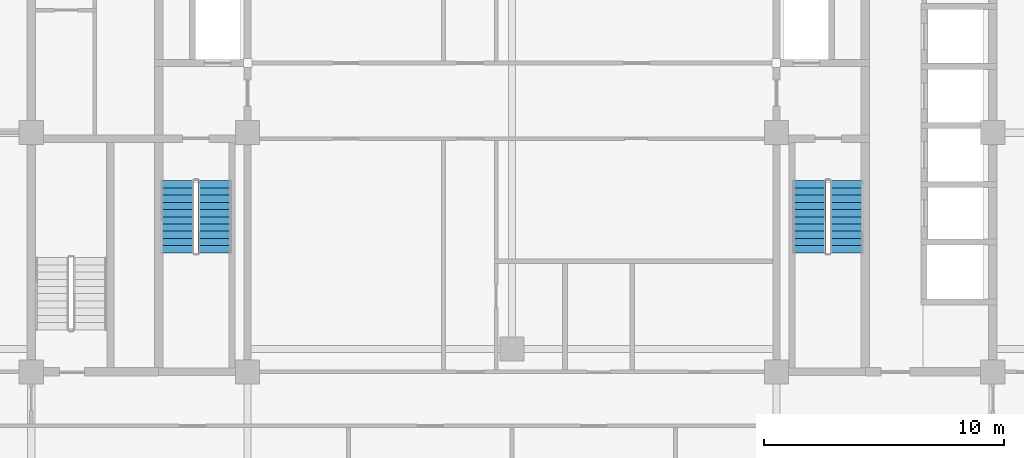
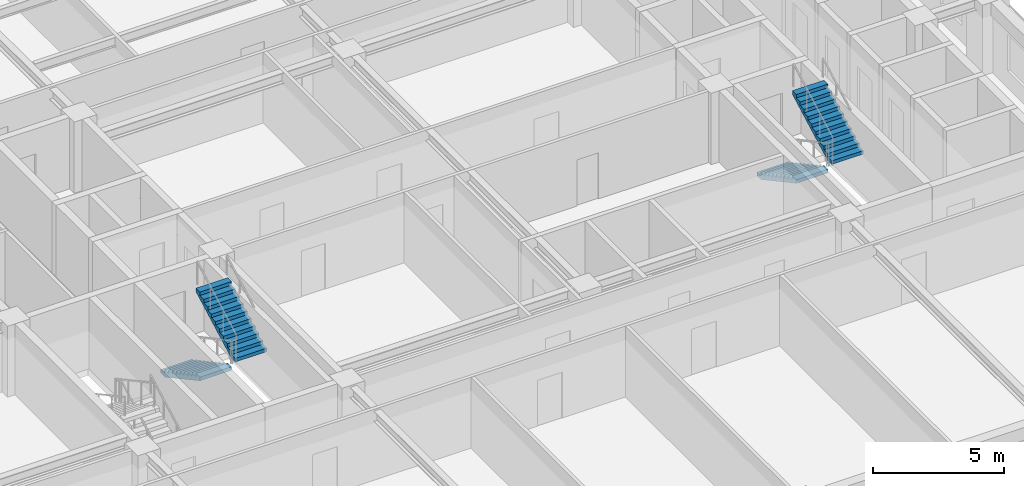
# One storey, part 12 of 20: 4 stair flights, 2 elements without a shape of their own.
"""IFC4 building model written with IfcOpenShell, lengths in metres."""

import ifcopenshell
import ifcopenshell.guid

model = None  # the IFC model being written
_history = None  # IfcOwnerHistory: only IFC2X3 demands one
_inside = {}  # id of a spatial element -> (the spatial element, [elements in it])
_under = {}  # id of a project, library or spatial element -> (it, [spatial elements below it])
_declared = {}  # id of a project -> (the project, [libraries it declares])
_typed = {}  # id of a type object -> (the type object, [elements of that type])
_made_of = {}  # id of a material, layer set ... -> (it, [elements and type objects made of it])


def new_model(schema):
    """Start an empty IFC model of exactly this schema.

    Asked for "IFC4X3", IfcOpenShell would pick the latest addendum, in which some entities
    have other attributes; the version numbers below select the first issue.
    IFC2X3 requires an IfcOwnerHistory on every rooted entity: one is made here for all.
    """
    global model, _history
    if schema == "IFC4X3":
        model = ifcopenshell.file(schema_version=(4, 3, 0, 0))
    else:
        model = ifcopenshell.file(schema=schema)
    _inside.clear()
    _under.clear()
    _declared.clear()
    _typed.clear()
    _made_of.clear()
    _history = None
    if model.schema == "IFC2X3":
        org = make("IfcOrganization", Name="unknown")
        user = make(
            "IfcPersonAndOrganization",
            ThePerson=make("IfcPerson", FamilyName="unknown"),
            TheOrganization=org,
        )
        app = make(
            "IfcApplication",
            ApplicationDeveloper=org,
            Version="unknown",
            ApplicationFullName="unknown",
            ApplicationIdentifier="unknown",
        )
        _history = make(
            "IfcOwnerHistory",
            OwningUser=user,
            OwningApplication=app,
            ChangeAction="ADDED",
            CreationDate=0,
        )
    return model


def make(cls, **values):
    """One entity of the class cls with the attributes given. An attribute that is None is left unset."""
    return model.create_entity(
        cls, **{name: value for name, value in values.items() if value is not None}
    )


def rooted(cls, **values):
    """An entity with a GlobalId (a new one), such as an element, a storey or a relation."""
    return make(cls, GlobalId=ifcopenshell.guid.new(), OwnerHistory=_history, **values)


def si_unit(unit_type, name, prefix=None):
    """IfcSIUnit, for example si_unit("LENGTHUNIT", "METRE", prefix="MILLI")."""
    return make("IfcSIUnit", UnitType=unit_type, Prefix=prefix, Name=name)


def assignment(units):
    """IfcUnitAssignment: the units of a project."""
    return None if units is None else make("IfcUnitAssignment", Units=units)


def point(xyz):
    """IfcCartesianPoint."""
    return None if xyz is None else make("IfcCartesianPoint", Coordinates=xyz)


def direction(xyz):
    """IfcDirection."""
    return None if xyz is None else make("IfcDirection", DirectionRatios=xyz)


def frame(location, z_axis=None, x_axis=None):
    """IfcAxis2Placement3D, a coordinate frame: its origin and axes. An axis left out is left unset."""
    return make(
        "IfcAxis2Placement3D",
        Location=point(location),
        Axis=direction(z_axis),
        RefDirection=direction(x_axis),
    )


def origin():
    """The frame at (0, 0, 0) with its axes left unset."""
    return frame((0.0, 0.0, 0.0))


def place(relative_to, where):
    """IfcLocalPlacement: puts the frame where relative to a parent placement (None: the world)."""
    return make(
        "IfcLocalPlacement", PlacementRelTo=relative_to, RelativePlacement=where
    )


def context(
    kind, dimensions, precision=None, world=None, true_north=None, identifier=None
):
    """IfcGeometricRepresentationContext, for example the 3D "Model" context."""
    return make(
        "IfcGeometricRepresentationContext",
        ContextIdentifier=identifier,
        ContextType=kind,
        CoordinateSpaceDimension=dimensions,
        Precision=precision,
        WorldCoordinateSystem=world,
        TrueNorth=true_north,
    )


def subcontext(parent, identifier, kind, view, scale=None):
    """IfcGeometricRepresentationSubContext, for example "Body" below "Model"."""
    return make(
        "IfcGeometricRepresentationSubContext",
        ContextIdentifier=identifier,
        ContextType=kind,
        ParentContext=parent,
        TargetScale=scale,
        TargetView=view,
    )


def project(units=None, contexts=None):
    """IfcProject with its units and contexts."""
    return rooted(
        "IfcProject",
        Name="project",
        RepresentationContexts=contexts,
        UnitsInContext=assignment(units),
    )


def spatial(cls, under=None, at=None, **own):
    """A site, building, storey or space (cls), placed at a placement, below another one or the project."""
    s = rooted(cls, ObjectPlacement=at, **own)
    if under is not None:
        _under.setdefault(under.id(), (under, []))[1].append(s)
    return s


def polyline(points):
    """IfcPolyline through the points."""
    return make("IfcPolyline", Points=[point(p) for p in points])


def outline(outer, holes=None, kind="AREA"):
    """IfcArbitraryClosedProfileDef: a profile drawn as a closed curve; with holes, ...WithVoids."""
    if holes is None:
        return make("IfcArbitraryClosedProfileDef", ProfileType=kind, OuterCurve=outer)
    return make(
        "IfcArbitraryProfileDefWithVoids",
        ProfileType=kind,
        OuterCurve=outer,
        InnerCurves=holes,
    )


def extrude(swept, where, along, depth):
    """IfcExtrudedAreaSolid: the profile swept, set in the frame where, extruded along a direction by depth."""
    return make(
        "IfcExtrudedAreaSolid",
        SweptArea=swept,
        Position=where,
        ExtrudedDirection=direction(along),
        Depth=depth,
    )


def shape(context_of_items, identifier, shape_type, items):
    """IfcShapeRepresentation: the items that make up one representation, for example the "Body"."""
    return make(
        "IfcShapeRepresentation",
        ContextOfItems=context_of_items,
        RepresentationIdentifier=identifier,
        RepresentationType=shape_type,
        Items=items,
    )


def material(Name=None, Category=None):
    """IfcMaterial."""
    return make("IfcMaterial", Name=Name, Category=Category)


def layer(
    of_material, thickness, ventilated=None, Name=None, Category=None, Priority=None
):
    """IfcMaterialLayer: one layer of a wall or slab, of a material (None: an air gap)."""
    return make(
        "IfcMaterialLayer",
        Material=of_material,
        LayerThickness=thickness,
        IsVentilated=ventilated,
        Name=Name,
        Category=Category,
        Priority=Priority,
    )


def layer_set(layers, Name=None):
    """IfcMaterialLayerSet."""
    return make("IfcMaterialLayerSet", MaterialLayers=layers, LayerSetName=Name)


def made_of(thing, what):
    """Note that an element or type object is made of a material, layer set ...; save() writes the relation."""
    if what is not None:
        _made_of.setdefault(what.id(), (what, []))[1].append(thing)
    return thing


def type_object(cls, material=None, **own):
    """A type object (cls), such as IfcWallType, which elements share."""
    return made_of(rooted(cls, **own), material)


def element(
    cls,
    number,
    at=None,
    inside=None,
    cuts=None,
    type_object=None,
    material=None,
    context=None,
    identifier="Body",
    shape_type=None,
    held_by="IfcProductDefinitionShape",
    body=None,
    shapes=None,
    **own,
):
    """One element of the class cls, such as IfcWall. Its Tag is "e" and its number.

    at: its placement. inside: the storey or other place that contains it. cuts: it is an
    opening in that element (IfcRelVoidsElement). A single representation is given by context,
    identifier, shape_type and body (its items); several are given by shapes. held_by: the class
    of the entity that holds the representations. save() writes the other relations.
    """
    e = rooted(cls, Tag="e%d" % number, ObjectPlacement=at, **own)
    if body is not None:
        shapes = [shape(context, identifier, shape_type, body)]
    if shapes is not None:
        e.Representation = make(held_by, Representations=shapes)
    if inside is not None:
        _inside.setdefault(inside.id(), (inside, []))[1].append(e)
    if cuts is not None:
        rooted(
            "IfcRelVoidsElement", RelatingBuildingElement=cuts, RelatedOpeningElement=e
        )
    if type_object is not None:
        _typed.setdefault(type_object.id(), (type_object, []))[1].append(e)
    return made_of(e, material)


def aggregate(whole, parts):
    """IfcRelAggregates: a whole, such as a stair, and the parts it consists of."""
    return rooted("IfcRelAggregates", RelatingObject=whole, RelatedObjects=parts)


def save(model, path):
    """Write the relations noted so far, then the file.

    IfcRelAggregates (storeys below a building ...), IfcRelContainedInSpatialStructure (elements
    in a storey), IfcRelDefinesByType, IfcRelAssociatesMaterial and IfcRelDeclares: one each for
    every whole, place, type object, material and project.
    """
    for whole, parts in _under.values():
        aggregate(whole, parts)
    for where, things in _inside.values():
        rooted(
            "IfcRelContainedInSpatialStructure",
            RelatedElements=things,
            RelatingStructure=where,
        )
    for kind, things in _typed.values():
        rooted("IfcRelDefinesByType", RelatedObjects=things, RelatingType=kind)
    for what, things in _made_of.values():
        rooted("IfcRelAssociatesMaterial", RelatedObjects=things, RelatingMaterial=what)
    for by, libraries in _declared.values():
        rooted("IfcRelDeclares", RelatingContext=by, RelatedDefinitions=libraries)
    model.write(path)


model = new_model("IFC4")

# Units and contexts
model_context = context("Model", 3, precision=1e-05, world=origin(), true_north=direction((0.0, 1.0)))
body_context = subcontext(model_context, "Body", "Model", "MODEL_VIEW")
ifc_project = project(units=[si_unit("LENGTHUNIT", "METRE"), si_unit("AREAUNIT", "SQUARE_METRE"), si_unit("VOLUMEUNIT", "CUBIC_METRE"), si_unit("PLANEANGLEUNIT", "RADIAN"), si_unit("MASSUNIT", "GRAM", prefix="KILO")], contexts=[model_context])

# Site, building, storey
site_placement = place(None, origin())
site = spatial("IfcSite", under=ifc_project, at=site_placement, CompositionType="ELEMENT")
building_placement = place(site_placement, origin())
building = spatial("IfcBuilding", under=site, at=building_placement, Name="Zulmaris Gate Convention Tower", CompositionType="ELEMENT")
storey_placement = place(building_placement, frame((0.0, 0.0, 142.769775390625)))
storey = spatial("IfcBuildingStorey", under=building, at=storey_placement, Name="L36", CompositionType="ELEMENT", Elevation=142.769775390625)

# Stair, stair flights
ifc_material = material(Name="Concrete C45/55", Category="concrete")
stair_type = type_object("IfcStairType", Name="ST-CORE-DOGLEG", PredefinedType="HALF_TURN_STAIR", material=ifc_material)
stair_1_placement = place(storey_placement, origin())
stair_1 = element("IfcStair", 1, at=stair_1_placement, inside=storey, type_object=stair_type, Name="L36 Core Exit Stair ST-1", PredefinedType="HALF_TURN_STAIR")
ifc_layer = layer(ifc_material, 0.14990234375, Name="Concrete C45/55")
ifc_layer_set = layer_set([ifc_layer], Name="Concrete C45/55")
stair_flight_type = type_object("IfcStairFlightType", Name="STF-RC150", PredefinedType="STRAIGHT", material=ifc_layer_set)
stair_flight_1_placement = place(storey_placement, frame((-13.919921875, -2.0, 0.0), z_axis=(0.0, 0.0, 1.0), x_axis=(0.0, -1.0, 0.0)))
stair_flight_1 = element("IfcStairFlight", 2, at=stair_flight_1_placement, type_object=stair_flight_type, Name="ST-1 flight 1", NumberOfRisers=11, NumberOfTreads=10, PredefinedType="STRAIGHT", RiserHeight=0.162272727, TreadLength=0.3, context=body_context, shape_type="SweptSolid", body=[
    extrude(outline(polyline([(0.0, 0.0), (0.0, 0.162353515625), (0.300048828125, 0.162353515625), (0.300048828125, 0.324462890625), (0.60009765625, 0.324462890625), (0.60009765625, 0.48681640625), (0.89990234375, 0.48681640625), (0.89990234375, 0.649169921875), (1.199951171875, 0.649169921875), (1.199951171875, 0.811279296875), (1.5, 0.811279296875), (1.5, 0.9736328125), (1.800048828125, 0.9736328125), (1.800048828125, 1.135986328125), (2.10009765625, 1.135986328125), (2.10009765625, 1.298095703125), (2.39990234375, 1.298095703125), (2.39990234375, 1.46044921875), (2.699951171875, 1.46044921875), (2.699951171875, 1.622802734375), (3.0, 1.622802734375), (3.0, 1.784912109375), (3.0, 1.452392578125), (0.315185546875, 0.0), (0.0, 0.0)])), frame((0.0, 0.699951171875, 0.0), z_axis=(0.0, -1.0, 0.0), x_axis=(1.0, 0.0, 0.0)), (0.0, 0.0, 1.0), 1.39990234375),
])
stair_flight_2_placement = place(storey_placement, frame((-12.360107421875, -5.0, 1.784912109375), z_axis=(0.0, 0.0, 1.0), x_axis=(0.0, 1.0, 0.0)))
stair_flight_2 = element("IfcStairFlight", 3, at=stair_flight_2_placement, type_object=stair_flight_type, Name="ST-1 flight 2", NumberOfRisers=11, NumberOfTreads=10, PredefinedType="STRAIGHT", RiserHeight=0.162272727, TreadLength=0.3, context=body_context, shape_type="SweptSolid", body=[
    extrude(outline(polyline([(0.0, 0.0), (0.0, 0.162353515625), (0.300048828125, 0.162353515625), (0.300048828125, 0.324462890625), (0.60009765625, 0.324462890625), (0.60009765625, 0.48681640625), (0.89990234375, 0.48681640625), (0.89990234375, 0.649169921875), (1.199951171875, 0.649169921875), (1.199951171875, 0.811279296875), (1.5, 0.811279296875), (1.5, 0.9736328125), (1.800048828125, 0.9736328125), (1.800048828125, 1.135986328125), (2.10009765625, 1.135986328125), (2.10009765625, 1.298095703125), (2.39990234375, 1.298095703125), (2.39990234375, 1.46044921875), (2.699951171875, 1.46044921875), (2.699951171875, 1.622802734375), (3.0, 1.622802734375), (3.0, 1.784912109375), (3.0, 1.452392578125), (0.315185546875, 0.0), (0.0, 0.0)])), frame((0.0, 0.699951171875, 0.0), z_axis=(0.0, -1.0, 0.0), x_axis=(1.0, 0.0, 0.0)), (0.0, 0.0, 1.0), 1.39990234375),
])
aggregate(stair_1, [stair_flight_1, stair_flight_2])

stair_2_placement = place(storey_placement, origin())
stair_2 = element("IfcStair", 4, at=stair_2_placement, inside=storey, type_object=stair_type, Name="L36 Core Exit Stair ST-2", PredefinedType="HALF_TURN_STAIR")
stair_flight_3_placement = place(storey_placement, frame((12.360107421875, -2.0, 0.0), z_axis=(0.0, 0.0, 1.0), x_axis=(0.0, -1.0, 0.0)))
stair_flight_3 = element("IfcStairFlight", 5, at=stair_flight_3_placement, type_object=stair_flight_type, Name="ST-2 flight 1", NumberOfRisers=11, NumberOfTreads=10, PredefinedType="STRAIGHT", RiserHeight=0.162272727, TreadLength=0.3, context=body_context, shape_type="SweptSolid", body=[
    extrude(outline(polyline([(0.0, 0.0), (0.0, 0.162353515625), (0.300048828125, 0.162353515625), (0.300048828125, 0.324462890625), (0.60009765625, 0.324462890625), (0.60009765625, 0.48681640625), (0.89990234375, 0.48681640625), (0.89990234375, 0.649169921875), (1.199951171875, 0.649169921875), (1.199951171875, 0.811279296875), (1.5, 0.811279296875), (1.5, 0.9736328125), (1.800048828125, 0.9736328125), (1.800048828125, 1.135986328125), (2.10009765625, 1.135986328125), (2.10009765625, 1.298095703125), (2.39990234375, 1.298095703125), (2.39990234375, 1.46044921875), (2.699951171875, 1.46044921875), (2.699951171875, 1.622802734375), (3.0, 1.622802734375), (3.0, 1.784912109375), (3.0, 1.452392578125), (0.315185546875, 0.0), (0.0, 0.0)])), frame((0.0, 0.699951171875, 0.0), z_axis=(0.0, -1.0, 0.0), x_axis=(1.0, 0.0, 0.0)), (0.0, 0.0, 1.0), 1.39990234375),
])
stair_flight_4_placement = place(storey_placement, frame((13.919921875, -5.0, 1.784912109375), z_axis=(0.0, 0.0, 1.0), x_axis=(0.0, 1.0, 0.0)))
stair_flight_4 = element("IfcStairFlight", 6, at=stair_flight_4_placement, type_object=stair_flight_type, Name="ST-2 flight 2", NumberOfRisers=11, NumberOfTreads=10, PredefinedType="STRAIGHT", RiserHeight=0.162272727, TreadLength=0.3, context=body_context, shape_type="SweptSolid", body=[
    extrude(outline(polyline([(0.0, 0.0), (0.0, 0.162353515625), (0.300048828125, 0.162353515625), (0.300048828125, 0.324462890625), (0.60009765625, 0.324462890625), (0.60009765625, 0.48681640625), (0.89990234375, 0.48681640625), (0.89990234375, 0.649169921875), (1.199951171875, 0.649169921875), (1.199951171875, 0.811279296875), (1.5, 0.811279296875), (1.5, 0.9736328125), (1.800048828125, 0.9736328125), (1.800048828125, 1.135986328125), (2.10009765625, 1.135986328125), (2.10009765625, 1.298095703125), (2.39990234375, 1.298095703125), (2.39990234375, 1.46044921875), (2.699951171875, 1.46044921875), (2.699951171875, 1.622802734375), (3.0, 1.622802734375), (3.0, 1.784912109375), (3.0, 1.452392578125), (0.315185546875, 0.0), (0.0, 0.0)])), frame((0.0, 0.699951171875, 0.0), z_axis=(0.0, -1.0, 0.0), x_axis=(1.0, 0.0, 0.0)), (0.0, 0.0, 1.0), 1.39990234375),
])
aggregate(stair_2, [stair_flight_3, stair_flight_4])

save(model, "model.ifc")
